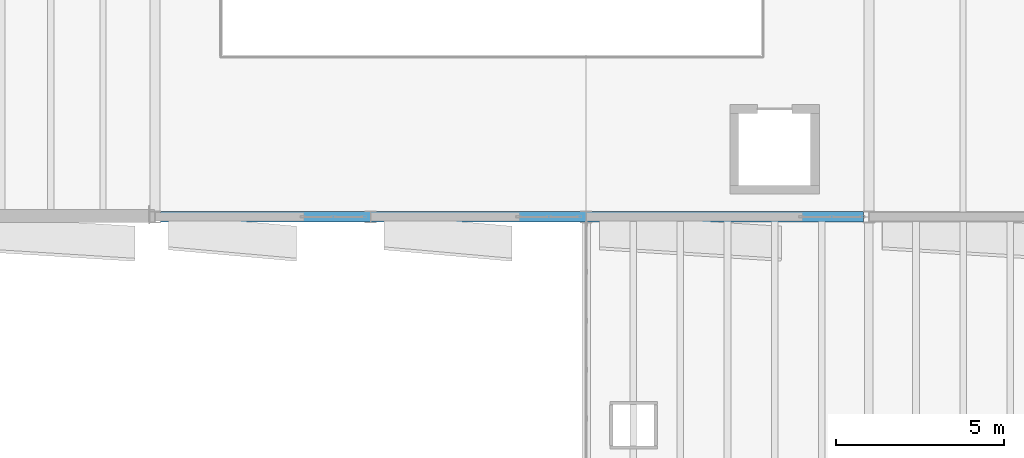
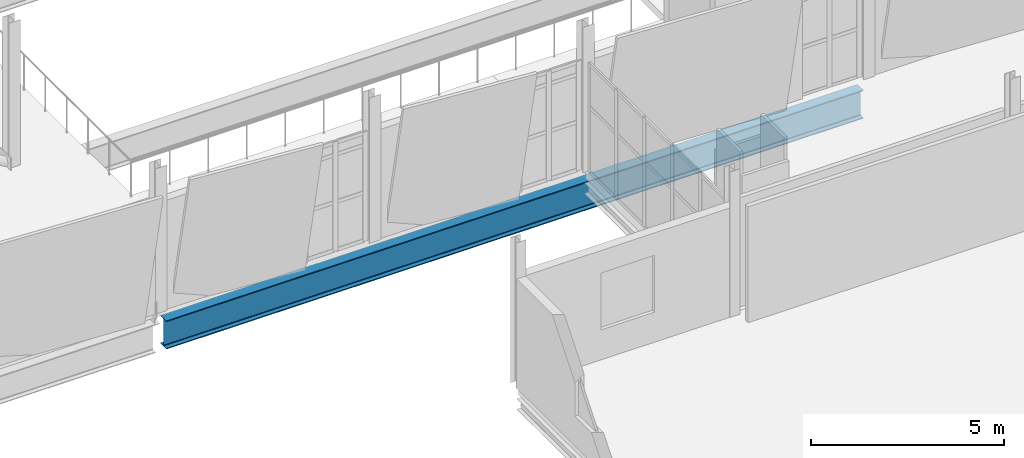
# One storey, part 13 of 136: 1 beam.
"""IFC4 building model written with IfcOpenShell, lengths in metres."""

import ifcopenshell
import ifcopenshell.guid

model = None  # the IFC model being written
_history = None  # IfcOwnerHistory: only IFC2X3 demands one
_inside = {}  # id of a spatial element -> (the spatial element, [elements in it])
_under = {}  # id of a project, library or spatial element -> (it, [spatial elements below it])
_declared = {}  # id of a project -> (the project, [libraries it declares])
_typed = {}  # id of a type object -> (the type object, [elements of that type])
_made_of = {}  # id of a material, layer set ... -> (it, [elements and type objects made of it])


def new_model(schema):
    """Start an empty IFC model of exactly this schema.

    Asked for "IFC4X3", IfcOpenShell would pick the latest addendum, in which some entities
    have other attributes; the version numbers below select the first issue.
    IFC2X3 requires an IfcOwnerHistory on every rooted entity: one is made here for all.
    """
    global model, _history
    if schema == "IFC4X3":
        model = ifcopenshell.file(schema_version=(4, 3, 0, 0))
    else:
        model = ifcopenshell.file(schema=schema)
    _inside.clear()
    _under.clear()
    _declared.clear()
    _typed.clear()
    _made_of.clear()
    _history = None
    if model.schema == "IFC2X3":
        org = make("IfcOrganization", Name="unknown")
        user = make(
            "IfcPersonAndOrganization",
            ThePerson=make("IfcPerson", FamilyName="unknown"),
            TheOrganization=org,
        )
        app = make(
            "IfcApplication",
            ApplicationDeveloper=org,
            Version="unknown",
            ApplicationFullName="unknown",
            ApplicationIdentifier="unknown",
        )
        _history = make(
            "IfcOwnerHistory",
            OwningUser=user,
            OwningApplication=app,
            ChangeAction="ADDED",
            CreationDate=0,
        )
    return model


def make(cls, **values):
    """One entity of the class cls with the attributes given. An attribute that is None is left unset."""
    return model.create_entity(
        cls, **{name: value for name, value in values.items() if value is not None}
    )


def rooted(cls, **values):
    """An entity with a GlobalId (a new one), such as an element, a storey or a relation."""
    return make(cls, GlobalId=ifcopenshell.guid.new(), OwnerHistory=_history, **values)


def si_unit(unit_type, name, prefix=None):
    """IfcSIUnit, for example si_unit("LENGTHUNIT", "METRE", prefix="MILLI")."""
    return make("IfcSIUnit", UnitType=unit_type, Prefix=prefix, Name=name)


def assignment(units):
    """IfcUnitAssignment: the units of a project."""
    return None if units is None else make("IfcUnitAssignment", Units=units)


def point(xyz):
    """IfcCartesianPoint."""
    return None if xyz is None else make("IfcCartesianPoint", Coordinates=xyz)


def direction(xyz):
    """IfcDirection."""
    return None if xyz is None else make("IfcDirection", DirectionRatios=xyz)


def frame(location, z_axis=None, x_axis=None):
    """IfcAxis2Placement3D, a coordinate frame: its origin and axes. An axis left out is left unset."""
    return make(
        "IfcAxis2Placement3D",
        Location=point(location),
        Axis=direction(z_axis),
        RefDirection=direction(x_axis),
    )


def frame_2d(location, x_axis=None):
    """IfcAxis2Placement2D, a coordinate frame in the plane: its origin and x axis."""
    return make(
        "IfcAxis2Placement2D", Location=point(location), RefDirection=direction(x_axis)
    )


def origin():
    """The frame at (0, 0, 0) with its axes left unset."""
    return frame((0.0, 0.0, 0.0))


def origin_2d():
    """The frame at (0, 0) in the plane with its x axis left unset."""
    return frame_2d((0.0, 0.0))


def place(relative_to, where):
    """IfcLocalPlacement: puts the frame where relative to a parent placement (None: the world)."""
    return make(
        "IfcLocalPlacement", PlacementRelTo=relative_to, RelativePlacement=where
    )


def context(
    kind, dimensions, precision=None, world=None, true_north=None, identifier=None
):
    """IfcGeometricRepresentationContext, for example the 3D "Model" context."""
    return make(
        "IfcGeometricRepresentationContext",
        ContextIdentifier=identifier,
        ContextType=kind,
        CoordinateSpaceDimension=dimensions,
        Precision=precision,
        WorldCoordinateSystem=world,
        TrueNorth=true_north,
    )


def subcontext(parent, identifier, kind, view, scale=None):
    """IfcGeometricRepresentationSubContext, for example "Body" below "Model"."""
    return make(
        "IfcGeometricRepresentationSubContext",
        ContextIdentifier=identifier,
        ContextType=kind,
        ParentContext=parent,
        TargetScale=scale,
        TargetView=view,
    )


def project(units=None, contexts=None):
    """IfcProject with its units and contexts."""
    return rooted(
        "IfcProject",
        Name="project",
        RepresentationContexts=contexts,
        UnitsInContext=assignment(units),
    )


def spatial(cls, under=None, at=None, **own):
    """A site, building, storey or space (cls), placed at a placement, below another one or the project."""
    s = rooted(cls, ObjectPlacement=at, **own)
    if under is not None:
        _under.setdefault(under.id(), (under, []))[1].append(s)
    return s


def profile(cls, at=None, kind="AREA", **sizes):
    """A parametric profile (cls). Its sizes go by their IFC names, for example OverallWidth=200.0."""
    return make(cls, ProfileType=kind, Position=at, **sizes)


def i_section(**sizes):
    """IfcIShapeProfileDef."""
    return profile("IfcIShapeProfileDef", **sizes)


def extrude(swept, where, along, depth):
    """IfcExtrudedAreaSolid: the profile swept, set in the frame where, extruded along a direction by depth."""
    return make(
        "IfcExtrudedAreaSolid",
        SweptArea=swept,
        Position=where,
        ExtrudedDirection=direction(along),
        Depth=depth,
    )


def shape(context_of_items, identifier, shape_type, items):
    """IfcShapeRepresentation: the items that make up one representation, for example the "Body"."""
    return make(
        "IfcShapeRepresentation",
        ContextOfItems=context_of_items,
        RepresentationIdentifier=identifier,
        RepresentationType=shape_type,
        Items=items,
    )


def material(Name=None, Category=None):
    """IfcMaterial."""
    return make("IfcMaterial", Name=Name, Category=Category)


def material_profile(
    of_material, cross_section, Name=None, Category=None, Priority=None
):
    """IfcMaterialProfile: a cross section and its material."""
    return make(
        "IfcMaterialProfile",
        Name=Name,
        Material=of_material,
        Profile=cross_section,
        Priority=Priority,
        Category=Category,
    )


def profile_set(profiles, Name=None, composite=None):
    """IfcMaterialProfileSet."""
    return make(
        "IfcMaterialProfileSet",
        Name=Name,
        MaterialProfiles=profiles,
        CompositeProfile=composite,
    )


def made_of(thing, what):
    """Note that an element or type object is made of a material, layer set ...; save() writes the relation."""
    if what is not None:
        _made_of.setdefault(what.id(), (what, []))[1].append(thing)
    return thing


def type_object(cls, material=None, **own):
    """A type object (cls), such as IfcWallType, which elements share."""
    return made_of(rooted(cls, **own), material)


def element(
    cls,
    number,
    at=None,
    inside=None,
    cuts=None,
    type_object=None,
    material=None,
    context=None,
    identifier="Body",
    shape_type=None,
    held_by="IfcProductDefinitionShape",
    body=None,
    shapes=None,
    **own,
):
    """One element of the class cls, such as IfcWall. Its Tag is "e" and its number.

    at: its placement. inside: the storey or other place that contains it. cuts: it is an
    opening in that element (IfcRelVoidsElement). A single representation is given by context,
    identifier, shape_type and body (its items); several are given by shapes. held_by: the class
    of the entity that holds the representations. save() writes the other relations.
    """
    e = rooted(cls, Tag="e%d" % number, ObjectPlacement=at, **own)
    if body is not None:
        shapes = [shape(context, identifier, shape_type, body)]
    if shapes is not None:
        e.Representation = make(held_by, Representations=shapes)
    if inside is not None:
        _inside.setdefault(inside.id(), (inside, []))[1].append(e)
    if cuts is not None:
        rooted(
            "IfcRelVoidsElement", RelatingBuildingElement=cuts, RelatedOpeningElement=e
        )
    if type_object is not None:
        _typed.setdefault(type_object.id(), (type_object, []))[1].append(e)
    return made_of(e, material)


def aggregate(whole, parts):
    """IfcRelAggregates: a whole, such as a stair, and the parts it consists of."""
    return rooted("IfcRelAggregates", RelatingObject=whole, RelatedObjects=parts)


def save(model, path):
    """Write the relations noted so far, then the file.

    IfcRelAggregates (storeys below a building ...), IfcRelContainedInSpatialStructure (elements
    in a storey), IfcRelDefinesByType, IfcRelAssociatesMaterial and IfcRelDeclares: one each for
    every whole, place, type object, material and project.
    """
    for whole, parts in _under.values():
        aggregate(whole, parts)
    for where, things in _inside.values():
        rooted(
            "IfcRelContainedInSpatialStructure",
            RelatedElements=things,
            RelatingStructure=where,
        )
    for kind, things in _typed.values():
        rooted("IfcRelDefinesByType", RelatedObjects=things, RelatingType=kind)
    for what, things in _made_of.values():
        rooted("IfcRelAssociatesMaterial", RelatedObjects=things, RelatingMaterial=what)
    for by, libraries in _declared.values():
        rooted("IfcRelDeclares", RelatingContext=by, RelatedDefinitions=libraries)
    model.write(path)


model = new_model("IFC4")

# Units and contexts
model_context = context("Model", 3, precision=1e-05, world=origin(), true_north=direction((0.0, 1.0)))
body_context = subcontext(model_context, "Body", "Model", "MODEL_VIEW")
ifc_project = project(units=[si_unit("LENGTHUNIT", "METRE"), si_unit("AREAUNIT", "SQUARE_METRE"), si_unit("VOLUMEUNIT", "CUBIC_METRE"), si_unit("PLANEANGLEUNIT", "RADIAN"), si_unit("MASSUNIT", "GRAM", prefix="KILO")], contexts=[model_context])

# Site, building, storey
site_placement = place(None, origin())
site = spatial("IfcSite", under=ifc_project, at=site_placement, CompositionType="ELEMENT")
building_placement = place(site_placement, origin())
building = spatial("IfcBuilding", under=site, at=building_placement, Name="Shengluoqiao Park Theatre", CompositionType="ELEMENT")
storey_placement = place(building_placement, frame((0.0, 0.0, 10.0)))
storey = spatial("IfcBuildingStorey", under=building, at=storey_placement, Name="L02", CompositionType="ELEMENT", Elevation=10.0)

# Beam
ifc_material = material(Name="Steel Q390", Category="steel")
ifc_material_profile = material_profile(ifc_material, i_section(OverallWidth=0.300048828125, OverallDepth=0.89990234375, WebThickness=0.01611328125, FlangeThickness=0.028076171875, FilletRadius=0.028076171875, at=origin_2d()), Name="HN 900x300x16x28")
ifc_profile_set = profile_set([ifc_material_profile], Name="Steel Q390")
beam_type = type_object("IfcBeamType", Name="STR-BM-G-HN900", PredefinedType="BEAM", material=ifc_profile_set)
beam_placement = place(storey_placement, frame((6.56298828125, 30.39990234375, -0.7900390625), z_axis=(1.0, 0.0, 0.0), x_axis=(0.0, 1.0, 0.0)))
element("IfcBeam", 1, at=beam_placement, inside=storey, type_object=beam_type, Name="CT-V3-1 L02 Continuous Back-Span Chord", PredefinedType="BEAM", context=body_context, shape_type="SweptSolid", body=[
    extrude(i_section(OverallWidth=0.300048828125, OverallDepth=0.89990234375, WebThickness=0.01611328125, FlangeThickness=0.028076171875, FilletRadius=0.028076171875, at=origin_2d()), origin(), (0.0, 0.0, 1.0), 20.8740234375),
])

save(model, "model.ifc")
